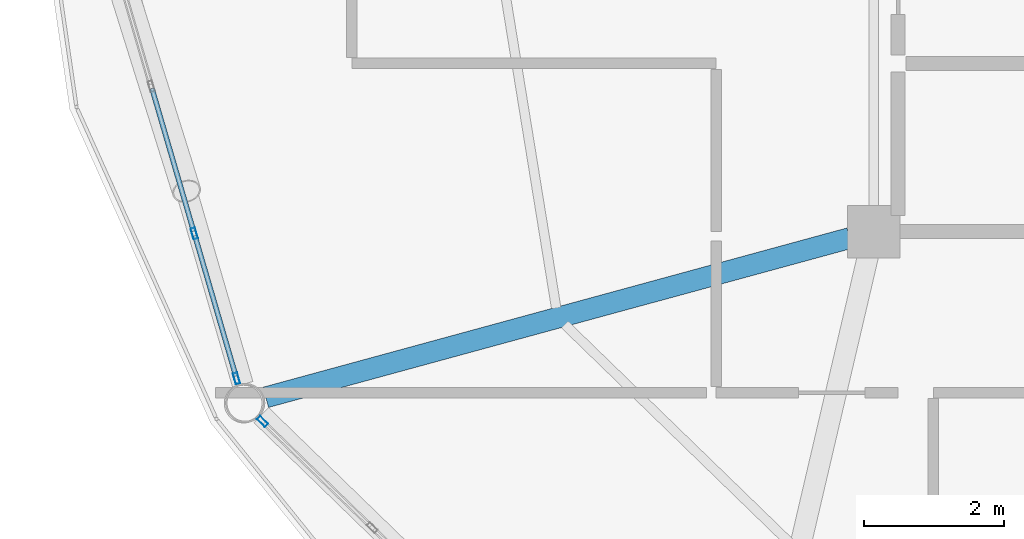
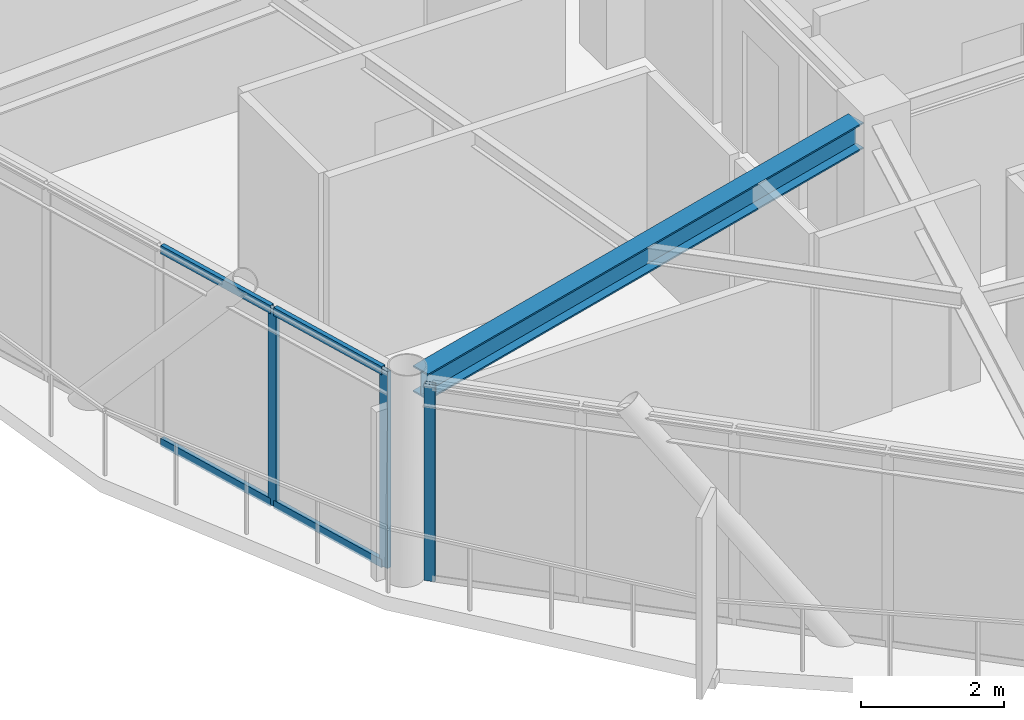
# One storey, part 4 of 27: 7 members, 1 beam, 2 elements without a shape of their own.
"""IFC4 building model written with IfcOpenShell, lengths in metres."""

from ifc_helpers import new_model, si_unit, direction, frame, origin, origin_2d, place, context, subcontext, project, spatial, hollow_rectangle, i_section, extrude, material, layer, layer_set, material_profile, profile_set, type_object, element, aggregate, save


model = new_model("IFC4")

# Units and contexts
model_context = context("Model", 3, precision=1e-05, world=origin(), true_north=direction((0.0, 1.0)))
body_context = subcontext(model_context, "Body", "Model", "MODEL_VIEW")
ifc_project = project(units=[si_unit("LENGTHUNIT", "METRE"), si_unit("AREAUNIT", "SQUARE_METRE"), si_unit("VOLUMEUNIT", "CUBIC_METRE"), si_unit("PLANEANGLEUNIT", "RADIAN"), si_unit("MASSUNIT", "GRAM", prefix="KILO")], contexts=[model_context])

# Site, building, storey
site_placement = place(None, origin())
site = spatial("IfcSite", under=ifc_project, at=site_placement, CompositionType="ELEMENT")
building_placement = place(site_placement, origin())
building = spatial("IfcBuilding", under=site, at=building_placement, Name="Varnakorn Sky Granary", CompositionType="ELEMENT")
storey_placement = place(building_placement, frame((0.0, 0.0, 229.199951171875)))
storey = spatial("IfcBuildingStorey", under=building, at=storey_placement, Name="L58", CompositionType="ELEMENT", Elevation=229.199951171875)

# Beam
ifc_material_1 = material(Name="Steel S355JR", Category="steel")
ifc_material_profile_1 = material_profile(ifc_material_1, i_section(OverallWidth=0.300048828125, OverallDepth=0.449951171875, WebThickness=0.013916015625, FlangeThickness=0.02587890625, at=origin_2d()), Name="HE 450 B")
ifc_profile_set_1 = profile_set([ifc_material_profile_1], Name="Steel S355JR")
beam_type = type_object("IfcBeamType", Name="BM-RAD-Z5", PredefinedType="BEAM", material=ifc_profile_set_1)
beam_placement = place(storey_placement, frame((-2.6923828125, -6.693359375, 3.135009765625), z_axis=(-0.964775555356, -0.26307437691, 0.0), x_axis=(0.26307437691, -0.964775555356, 0.0)))
element("IfcBeam", 1, at=beam_placement, inside=storey, type_object=beam_type, Name="Radial Floor Girder RG08 L58", PredefinedType="BEAM", context=body_context, shape_type="SweptSolid", body=[
    extrude(i_section(OverallWidth=0.300048828125, OverallDepth=0.449951171875, WebThickness=0.013916015625, FlangeThickness=0.02587890625, at=origin_2d()), origin(), (0.0, 0.0, 1.0), 8.641845703125),
])

# Curtain wall, members
ifc_material_2 = material(Name="Anodised Bronze Aluminium Alloy 6063-T6", Category="aluminium")
ifc_layer = layer(ifc_material_2, 0.169921875, Name="Anodised Bronze Aluminium Alloy 6063-T6")
ifc_layer_set = layer_set([ifc_layer], Name="Anodised Bronze Aluminium Alloy 6063-T6")
curtain_wall_type = type_object("IfcCurtainWallType", Name="CW-LAB-1", PredefinedType="USERDEFINED", material=ifc_layer_set)
curtain_wall_1_placement = place(storey_placement, origin())
curtain_wall_1 = element("IfcCurtainWall", 2, at=curtain_wall_1_placement, inside=storey, type_object=curtain_wall_type, Name="Unitised Curtain Wall CW5 CW-L58-B07", ObjectType="CURTAIN WALL", PredefinedType="USERDEFINED")
ifc_material_profile_2 = material_profile(ifc_material_2, hollow_rectangle(XDim=0.06494140625, YDim=0.159912109375, WallThickness=0.00341796875, at=origin_2d()), Name="ALU MULL 65x160")
ifc_profile_set_2 = profile_set([ifc_material_profile_2], Name="Anodised Bronze Aluminium Alloy 6063-T6")
member_type_1 = type_object("IfcMemberType", Name="CW-LAB-1-MULL", PredefinedType="MULLION", material=ifc_profile_set_2)
member_1_placement = place(storey_placement, frame((-11.447998046875, -8.6962890625, 0.0), z_axis=(0.0, 0.0, 1.0), x_axis=(-0.96000908574, -0.27996884701, 0.0)))
member_1 = element("IfcMember", 3, at=member_1_placement, type_object=member_type_1, Name="CW5 mullion 1", PredefinedType="MULLION", context=body_context, shape_type="SweptSolid", body=[
    extrude(hollow_rectangle(XDim=0.06494140625, YDim=0.159912109375, WallThickness=0.00341796875, at=origin_2d()), origin(), (0.0, 0.0, 1.0), 3.360107421875),
])
member_2_placement = place(storey_placement, frame((-12.05126953125, -6.627197265625, 0.0), z_axis=(0.0, 0.0, 1.0), x_axis=(-0.96000908574, -0.27996884701, 0.0)))
member_2 = element("IfcMember", 4, at=member_2_placement, type_object=member_type_1, Name="CW5 mullion 2", PredefinedType="MULLION", context=body_context, shape_type="SweptSolid", body=[
    extrude(hollow_rectangle(XDim=0.06494140625, YDim=0.159912109375, WallThickness=0.00341796875, at=origin_2d()), origin(), (0.0, 0.0, 1.0), 3.360107421875),
])

# Curtain wall, member
curtain_wall_2_placement = place(storey_placement, origin())
curtain_wall_2 = element("IfcCurtainWall", 5, at=curtain_wall_2_placement, inside=storey, type_object=curtain_wall_type, Name="Unitised Curtain Wall CW5 CW-L58-B08", ObjectType="CURTAIN WALL", PredefinedType="USERDEFINED")
member_3_placement = place(storey_placement, frame((-11.07666015625, -9.312255859375, 0.0), z_axis=(0.0, 0.0, 1.0), x_axis=(-0.695640153276, -0.718390407195, 0.0)))
member_3 = element("IfcMember", 6, at=member_3_placement, type_object=member_type_1, Name="CW5 mullion 5", PredefinedType="MULLION", context=body_context, shape_type="SweptSolid", body=[
    extrude(hollow_rectangle(XDim=0.06494140625, YDim=0.159912109375, WallThickness=0.00341796875, at=origin_2d()), origin(), (0.0, 0.0, 1.0), 3.360107421875),
])
aggregate(curtain_wall_2, [member_3])

# Member
ifc_material_profile_3 = material_profile(ifc_material_2, hollow_rectangle(XDim=0.070068359375, YDim=0.139892578125, WallThickness=0.00341796875, at=origin_2d()), Name="ALU TRAN 70x140")
ifc_profile_set_3 = profile_set([ifc_material_profile_3], Name="Anodised Bronze Aluminium Alloy 6063-T6")
member_type_2 = type_object("IfcMemberType", Name="CW-LAB-1-TRAN", PredefinedType="USERDEFINED", material=ifc_profile_set_3)
member_4_placement = place(storey_placement, frame((-11.45703125, -8.665283203125, 0.03515625), z_axis=(-0.279946182622, 0.960015695099, 0.0), x_axis=(-0.960015695099, -0.279946182622, 0.0)))
member_4 = element("IfcMember", 7, at=member_4_placement, type_object=member_type_2, Name="CW5 transom 1.1", ObjectType="TRANSOM", PredefinedType="USERDEFINED", context=body_context, shape_type="SweptSolid", body=[
    extrude(hollow_rectangle(XDim=0.070068359375, YDim=0.139892578125, WallThickness=0.00341796875, at=origin_2d()), origin(), (0.0, 0.0, 1.0), 2.09033203125),
])

member_5_placement = place(storey_placement, frame((-11.45703125, -8.665283203125, 3.324951171875), z_axis=(-0.279946182622, 0.960015695099, 0.0), x_axis=(-0.960015695099, -0.279946182622, 0.0)))
member_5 = element("IfcMember", 8, at=member_5_placement, type_object=member_type_2, Name="CW5 transom 1.2", ObjectType="TRANSOM", PredefinedType="USERDEFINED", context=body_context, shape_type="SweptSolid", body=[
    extrude(hollow_rectangle(XDim=0.070068359375, YDim=0.139892578125, WallThickness=0.00341796875, at=origin_2d()), origin(), (0.0, 0.0, 1.0), 2.09033203125),
])

member_6_placement = place(storey_placement, frame((-12.060546875, -6.595947265625, 0.03515625), z_axis=(-0.279911678285, 0.960025756092, 0.0), x_axis=(-0.960025756092, -0.279911678285, 0.0)))
member_6 = element("IfcMember", 9, at=member_6_placement, type_object=member_type_2, Name="CW5 transom 2.1", ObjectType="TRANSOM", PredefinedType="USERDEFINED", context=body_context, shape_type="SweptSolid", body=[
    extrude(hollow_rectangle(XDim=0.070068359375, YDim=0.139892578125, WallThickness=0.00341796875, at=origin_2d()), origin(), (0.0, 0.0, 1.0), 2.123046875),
])

member_7_placement = place(storey_placement, frame((-12.060546875, -6.595947265625, 3.324951171875), z_axis=(-0.279911678285, 0.960025756092, 0.0), x_axis=(-0.960025756092, -0.279911678285, 0.0)))
member_7 = element("IfcMember", 10, at=member_7_placement, type_object=member_type_2, Name="CW5 transom 2.2", ObjectType="TRANSOM", PredefinedType="USERDEFINED", context=body_context, shape_type="SweptSolid", body=[
    extrude(hollow_rectangle(XDim=0.070068359375, YDim=0.139892578125, WallThickness=0.00341796875, at=origin_2d()), origin(), (0.0, 0.0, 1.0), 2.123046875),
])

aggregate(curtain_wall_1, [member_1, member_2, member_4, member_5, member_6, member_7])

save(model, "model.ifc")
